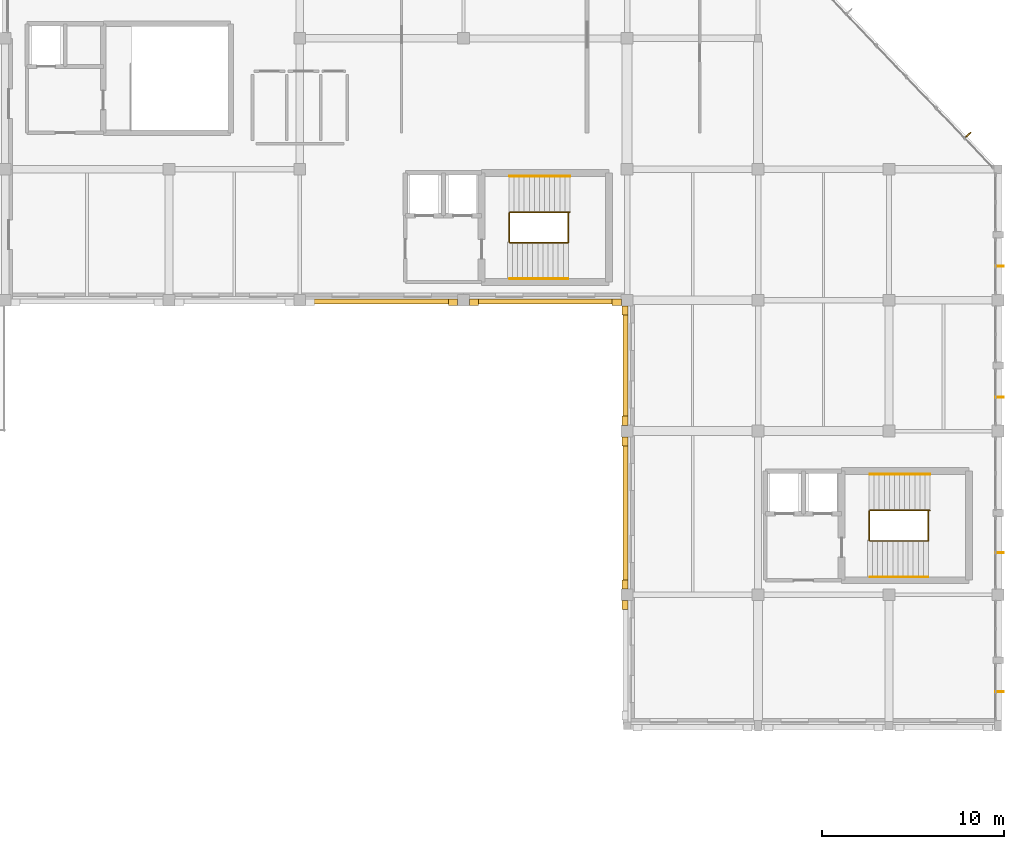
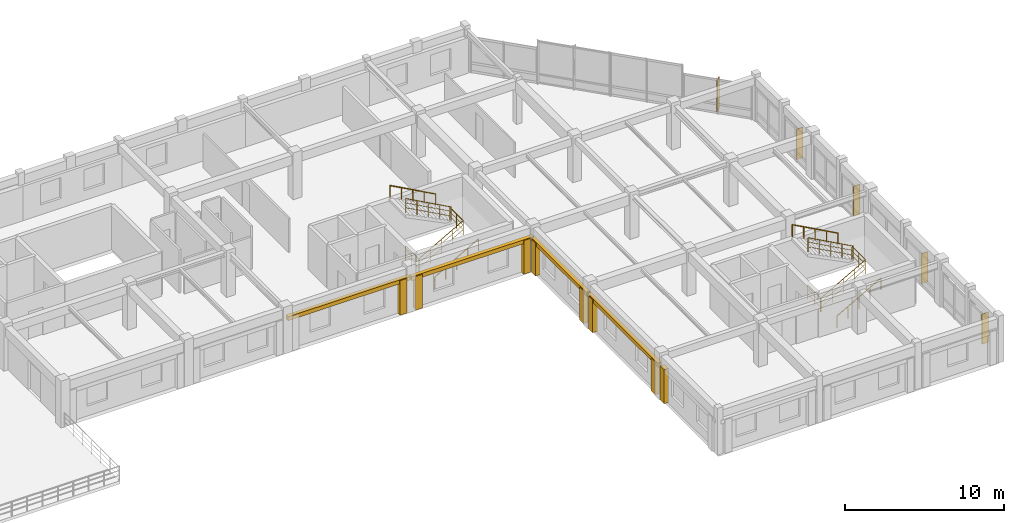
# One storey, part 17 of 18: 12 coverings, 12 railings, 5 shading devices.
"""IFC4 building model written with IfcOpenShell, lengths in metres."""

from ifc_helpers import new_model, si_unit, direction, frame, frame_2d, origin, origin_2d, place, context, subcontext, project, spatial, rectangle, circle, extrude, material, layer, layer_set, type_object, element, save


model = new_model("IFC4")

# Units and contexts
model_context = context("Model", 3, precision=1e-05, world=origin(), true_north=direction((0.0, 1.0)))
body_context = subcontext(model_context, "Body", "Model", "MODEL_VIEW")
ifc_project = project(units=[si_unit("LENGTHUNIT", "METRE"), si_unit("AREAUNIT", "SQUARE_METRE"), si_unit("VOLUMEUNIT", "CUBIC_METRE"), si_unit("PLANEANGLEUNIT", "RADIAN"), si_unit("MASSUNIT", "GRAM", prefix="KILO")], contexts=[model_context])

# Site, building, storey
site_placement = place(None, origin())
site = spatial("IfcSite", under=ifc_project, at=site_placement, CompositionType="ELEMENT")
building_placement = place(site_placement, origin())
building = spatial("IfcBuilding", under=site, at=building_placement, Name="Clarverna Civic Hall", CompositionType="ELEMENT")
storey_placement = place(building_placement, frame((0.0, 0.0, 20.39990234375)))
storey = spatial("IfcBuildingStorey", under=building, at=storey_placement, Name="L05", CompositionType="ELEMENT", Elevation=20.39990234375)

# Coverings
ifc_material_1 = material(Name="Montjuic Buff Limestone Ashlar Cladding", Category="masonry")
ifc_layer_1 = layer(ifc_material_1, 0.070068359375)
ifc_layer_set_1 = layer_set([ifc_layer_1], Name="Montjuic Buff Limestone Ashlar Cladding")
covering_type = type_object("IfcCoveringType", Name="CV-CL2", PredefinedType="CLADDING", material=ifc_layer_set_1)
covering_1_placement = place(storey_placement, frame((147.489990234375, 77.97998046875, 0.0), z_axis=(0.0, 0.0, 1.0), x_axis=(0.0, 1.0, 0.0)))
element("IfcCovering", 1, at=covering_1_placement, inside=storey, type_object=covering_type, Name="CV-CL2-880", PredefinedType="CLADDING", context=body_context, shape_type="SweptSolid", body=[
    extrude(rectangle(XDim=0.5, YDim=0.340087890625, at=frame_2d((0.25, 0.0))), origin(), (0.0, 0.0, 1.0), 2.6201171875),
])
covering_2_placement = place(storey_placement, frame((147.52001953125, 78.860107421875, 2.260009765625), z_axis=(0.0, 0.0, 1.0), x_axis=(0.0, 1.0, 0.0)))
element("IfcCovering", 2, at=covering_2_placement, inside=storey, type_object=covering_type, Name="CV-CL2-881", PredefinedType="CLADDING", context=body_context, shape_type="SweptSolid", body=[
    extrude(rectangle(XDim=8.8798828125, YDim=0.280029296875, at=frame_2d((4.43994140625, 0.0))), origin(), (0.0, 0.0, 1.0), 0.300048828125),
])
for number, where, z_axis, x_axis, name in (
    (3, (147.489990234375, 79.1201171875, 0.0), (0.0, 0.0, 1.0), (0.0, 1.0, 0.0), "CV-CL2-882"),
    (4, (147.489990234375, 86.97998046875, 0.0), (0.0, 0.0, 1.0), (0.0, 1.0, 0.0), "CV-CL2-883"),
):
    element("IfcCovering", number, at=place(storey_placement, frame(where, z_axis=z_axis, x_axis=x_axis)), inside=storey, type_object=covering_type, Name=name, PredefinedType="CLADDING", context=body_context, shape_type="SweptSolid", body=[
        extrude(rectangle(XDim=0.5, YDim=0.340087890625, at=frame_2d((0.25, 0.0))), origin(), (0.0, 0.0, 1.0), 2.5400390625),
    ])
covering_3_placement = place(storey_placement, frame((147.52001953125, 87.860107421875, 2.260009765625), z_axis=(0.0, 0.0, 1.0), x_axis=(0.0, 1.0, 0.0)))
element("IfcCovering", 5, at=covering_3_placement, inside=storey, type_object=covering_type, Name="CV-CL2-884", PredefinedType="CLADDING", context=body_context, shape_type="SweptSolid", body=[
    extrude(rectangle(XDim=7.079833984375, YDim=0.280029296875, at=frame_2d((3.5400390625, 0.0))), origin(), (0.0, 0.0, 1.0), 0.300048828125),
])
for number, where, z_axis, x_axis, name in (
    (6, (147.489990234375, 88.1201171875, 0.0), (0.0, 0.0, 1.0), (0.0, 1.0, 0.0), "CV-CL2-885"),
    (7, (147.489990234375, 94.179931640625, 0.0), (0.0, 0.0, 1.0), (0.0, 1.0, 0.0), "CV-CL2-886"),
):
    element("IfcCovering", number, at=place(storey_placement, frame(where, z_axis=z_axis, x_axis=x_axis)), inside=storey, type_object=covering_type, Name=name, PredefinedType="CLADDING", context=body_context, shape_type="SweptSolid", body=[
        extrude(rectangle(XDim=0.5, YDim=0.340087890625, at=frame_2d((0.25, 0.0))), origin(), (0.0, 0.0, 1.0), 2.5400390625),
    ])
covering_4_placement = place(storey_placement, frame((147.5400390625, 94.919921875, 2.31005859375), z_axis=(0.0, 0.0, 1.0), x_axis=(-1.0, 0.0, 0.0)))
element("IfcCovering", 8, at=covering_4_placement, inside=storey, type_object=covering_type, Name="CV-CL2-887", PredefinedType="CLADDING", context=body_context, shape_type="SweptSolid", body=[
    extrude(rectangle(XDim=8.880126953125, YDim=0.280029296875, at=frame_2d((4.43994140625, 0.0))), origin(), (0.0, 0.0, 1.0), 0.300048828125),
])
for number, where, z_axis, x_axis, name in (
    (9, (147.280029296875, 94.889892578125, 0.0), (0.0, 0.0, 1.0), (-1.0, 0.0, 0.0), "CV-CL2-888"),
    (10, (139.419921875, 94.889892578125, 0.0), (0.0, 0.0, 1.0), (-1.0, 0.0, 0.0), "CV-CL2-889"),
):
    element("IfcCovering", number, at=place(storey_placement, frame(where, z_axis=z_axis, x_axis=x_axis)), inside=storey, type_object=covering_type, Name=name, PredefinedType="CLADDING", context=body_context, shape_type="SweptSolid", body=[
        extrude(rectangle(XDim=0.5, YDim=0.340087890625, at=frame_2d((0.25, 0.0))), origin(), (0.0, 0.0, 1.0), 2.590087890625),
    ])
covering_5_placement = place(storey_placement, frame((138.5400390625, 94.919921875, 2.380126953125), z_axis=(0.0, 0.0, 1.0), x_axis=(-1.0, 0.0, 0.0)))
element("IfcCovering", 11, at=covering_5_placement, inside=storey, type_object=covering_type, Name="CV-CL2-890", PredefinedType="CLADDING", context=body_context, shape_type="SweptSolid", body=[
    extrude(rectangle(XDim=8.880126953125, YDim=0.280029296875, at=frame_2d((4.43994140625, 0.0))), origin(), (0.0, 0.0, 1.0), 0.300048828125),
])
covering_6_placement = place(storey_placement, frame((138.280029296875, 94.889892578125, 0.0), z_axis=(0.0, 0.0, 1.0), x_axis=(-1.0, 0.0, 0.0)))
element("IfcCovering", 12, at=covering_6_placement, inside=storey, type_object=covering_type, Name="CV-CL2-891", PredefinedType="CLADDING", context=body_context, shape_type="SweptSolid", body=[
    extrude(rectangle(XDim=0.5, YDim=0.340087890625, at=frame_2d((0.25, 0.0))), origin(), (0.0, 0.0, 1.0), 2.66015625),
])

# Railings
ifc_material_2 = material(Name="Anodised Bronze Architectural Balustrade")
railing_type_1 = type_object("IfcRailingType", Name="GR-02", PredefinedType="BALUSTRADE", material=ifc_material_2)
railing_1_placement = place(storey_placement, frame((141.14990234375, 98.159912109375, 0.0)))
element("IfcRailing", 13, at=railing_1_placement, inside=storey, type_object=railing_type_1, Name="GR-02-027", PredefinedType="BALUSTRADE", context=body_context, shape_type="SweptSolid", body=[
    extrude(circle(Radius=0.02392578125, at=origin_2d()), frame((0.0, 0.0, 1.09619140625), z_axis=(0.871901705862, 0.0, 0.489680932154), x_axis=(0.0, 1.0, 0.0)), (0.0, 0.0, 1.0), 3.676025390625),
    extrude(circle(Radius=0.011962890625, at=origin_2d()), frame((0.0, 0.0, 0.39208984375), z_axis=(0.871901705862, 0.0, 0.489680932154), x_axis=(0.0, 1.0, 0.0)), (0.0, 0.0, 1.0), 3.676025390625),
    extrude(circle(Radius=0.011962890625, at=origin_2d()), frame((0.0, 0.0, 0.76171875), z_axis=(0.871901705862, 0.0, 0.489680932154), x_axis=(0.0, 1.0, 0.0)), (0.0, 0.0, 1.0), 3.676025390625),
    extrude(circle(Radius=0.02099609375, at=origin_2d()), origin(), (0.0, 0.0, 1.0), 1.072021484375),
    extrude(circle(Radius=0.02099609375, at=origin_2d()), frame((0.80126953125, 0.0, 0.449951171875)), (0.0, 0.0, 1.0), 1.072021484375),
    extrude(circle(Radius=0.02099609375, at=origin_2d()), frame((1.6025390625, 0.0, 0.89990234375)), (0.0, 0.0, 1.0), 1.072021484375),
    extrude(circle(Radius=0.02099609375, at=origin_2d()), frame((2.40380859375, 0.0, 1.35009765625)), (0.0, 0.0, 1.0), 1.072021484375),
    extrude(circle(Radius=0.02099609375, at=origin_2d()), frame((3.205078125, 0.0, 1.800048828125)), (0.0, 0.0, 1.0), 1.072021484375),
])
railing_2_placement = place(storey_placement, frame((144.35498046875, 98.159912109375, 1.800048828125)))
element("IfcRailing", 14, at=railing_2_placement, inside=storey, type_object=railing_type_1, Name="GR-02-028", PredefinedType="BALUSTRADE", context=body_context, shape_type="SweptSolid", body=[
    extrude(circle(Radius=0.02392578125, at=origin_2d()), frame((0.0, 0.0, 1.09619140625), z_axis=(0.0, 1.0, 0.0), x_axis=(-1.0, 0.0, 0.0)), (0.0, 0.0, 1.0), 1.68017578125),
    extrude(circle(Radius=0.011962890625, at=origin_2d()), frame((0.0, 0.0, 0.39208984375), z_axis=(0.0, 1.0, 0.0), x_axis=(-1.0, 0.0, 0.0)), (0.0, 0.0, 1.0), 1.68017578125),
    extrude(circle(Radius=0.011962890625, at=origin_2d()), frame((0.0, 0.0, 0.76171875), z_axis=(0.0, 1.0, 0.0), x_axis=(-1.0, 0.0, 0.0)), (0.0, 0.0, 1.0), 1.68017578125),
    extrude(circle(Radius=0.02099609375, at=origin_2d()), origin(), (0.0, 0.0, 1.0), 1.072021484375),
    extrude(circle(Radius=0.02099609375, at=origin_2d()), frame((0.0, 0.840087890625, 0.0)), (0.0, 0.0, 1.0), 1.072021484375),
    extrude(circle(Radius=0.02099609375, at=origin_2d()), frame((0.0, 1.68017578125, 0.0)), (0.0, 0.0, 1.0), 1.072021484375),
])
railing_3_placement = place(storey_placement, frame((144.445068359375, 99.840087890625, 1.800048828125)))
element("IfcRailing", 15, at=railing_3_placement, inside=storey, type_object=railing_type_1, Name="GR-02-029", PredefinedType="BALUSTRADE", context=body_context, shape_type="SweptSolid", body=[
    extrude(circle(Radius=0.02392578125, at=origin_2d()), frame((0.0, 0.0, 1.09619140625), z_axis=(-0.877594727342, 0.0, 0.479403269222), x_axis=(0.0, -1.0, 0.0)), (0.0, 0.0, 1.0), 3.7548828125),
    extrude(circle(Radius=0.011962890625, at=origin_2d()), frame((0.0, 0.0, 0.39208984375), z_axis=(-0.877594727342, 0.0, 0.479403269222), x_axis=(0.0, -1.0, 0.0)), (0.0, 0.0, 1.0), 3.7548828125),
    extrude(circle(Radius=0.011962890625, at=origin_2d()), frame((0.0, 0.0, 0.76171875), z_axis=(-0.877594727342, 0.0, 0.479403269222), x_axis=(0.0, -1.0, 0.0)), (0.0, 0.0, 1.0), 3.7548828125),
    extrude(circle(Radius=0.02099609375, at=origin_2d()), origin(), (0.0, 0.0, 1.0), 1.072021484375),
    extrude(circle(Radius=0.02099609375, at=origin_2d()), frame((-0.82373046875, 0.0, 0.449951171875)), (0.0, 0.0, 1.0), 1.072021484375),
    extrude(circle(Radius=0.02099609375, at=origin_2d()), frame((-1.6474609375, 0.0, 0.89990234375)), (0.0, 0.0, 1.0), 1.072021484375),
    extrude(circle(Radius=0.02099609375, at=origin_2d()), frame((-2.471435546875, 0.0, 1.35009765625)), (0.0, 0.0, 1.0), 1.072021484375),
    extrude(circle(Radius=0.02099609375, at=origin_2d()), frame((-3.295166015625, 0.0, 1.800048828125)), (0.0, 0.0, 1.0), 1.072021484375),
])
railing_4_placement = place(storey_placement, frame((141.110107421875, 98.199951171875, 0.0)))
element("IfcRailing", 16, at=railing_4_placement, inside=storey, type_object=railing_type_1, Name="GR-02-030", PredefinedType="BALUSTRADE", context=body_context, shape_type="SweptSolid", body=[
    extrude(circle(Radius=0.02392578125, at=origin_2d()), frame((0.0, 0.0, 1.09619140625), z_axis=(0.0, 1.0, 0.0), x_axis=(-1.0, 0.0, 0.0)), (0.0, 0.0, 1.0), 1.60009765625),
    extrude(circle(Radius=0.011962890625, at=origin_2d()), frame((0.0, 0.0, 0.39208984375), z_axis=(0.0, 1.0, 0.0), x_axis=(-1.0, 0.0, 0.0)), (0.0, 0.0, 1.0), 1.60009765625),
    extrude(circle(Radius=0.011962890625, at=origin_2d()), frame((0.0, 0.0, 0.76171875), z_axis=(0.0, 1.0, 0.0), x_axis=(-1.0, 0.0, 0.0)), (0.0, 0.0, 1.0), 1.60009765625),
    extrude(circle(Radius=0.02099609375, at=origin_2d()), origin(), (0.0, 0.0, 1.0), 1.072021484375),
    extrude(circle(Radius=0.02099609375, at=origin_2d()), frame((0.0, 0.800048828125, 0.0)), (0.0, 0.0, 1.0), 1.072021484375),
    extrude(circle(Radius=0.02099609375, at=origin_2d()), frame((0.0, 1.60009765625, 0.0)), (0.0, 0.0, 1.0), 1.072021484375),
])
railing_5_placement = place(storey_placement, frame((160.949951171875, 81.760009765625, 0.0)))
element("IfcRailing", 17, at=railing_5_placement, inside=storey, type_object=railing_type_1, Name="GR-02-059", PredefinedType="BALUSTRADE", context=body_context, shape_type="SweptSolid", body=[
    extrude(circle(Radius=0.02392578125, at=origin_2d()), frame((0.0, 0.0, 1.09619140625), z_axis=(0.871901705862, 0.0, 0.489680932154), x_axis=(0.0, 1.0, 0.0)), (0.0, 0.0, 1.0), 3.676025390625),
    extrude(circle(Radius=0.011962890625, at=origin_2d()), frame((0.0, 0.0, 0.39208984375), z_axis=(0.871901705862, 0.0, 0.489680932154), x_axis=(0.0, 1.0, 0.0)), (0.0, 0.0, 1.0), 3.676025390625),
    extrude(circle(Radius=0.011962890625, at=origin_2d()), frame((0.0, 0.0, 0.76171875), z_axis=(0.871901705862, 0.0, 0.489680932154), x_axis=(0.0, 1.0, 0.0)), (0.0, 0.0, 1.0), 3.676025390625),
    extrude(circle(Radius=0.02099609375, at=origin_2d()), origin(), (0.0, 0.0, 1.0), 1.072021484375),
    extrude(circle(Radius=0.02099609375, at=origin_2d()), frame((0.80126953125, 0.0, 0.449951171875)), (0.0, 0.0, 1.0), 1.072021484375),
    extrude(circle(Radius=0.02099609375, at=origin_2d()), frame((1.6025390625, 0.0, 0.89990234375)), (0.0, 0.0, 1.0), 1.072021484375),
    extrude(circle(Radius=0.02099609375, at=origin_2d()), frame((2.40380859375, 0.0, 1.35009765625)), (0.0, 0.0, 1.0), 1.072021484375),
    extrude(circle(Radius=0.02099609375, at=origin_2d()), frame((3.205078125, 0.0, 1.800048828125)), (0.0, 0.0, 1.0), 1.072021484375),
])
railing_6_placement = place(storey_placement, frame((164.155029296875, 81.760009765625, 1.800048828125)))
element("IfcRailing", 18, at=railing_6_placement, inside=storey, type_object=railing_type_1, Name="GR-02-060", PredefinedType="BALUSTRADE", context=body_context, shape_type="SweptSolid", body=[
    extrude(circle(Radius=0.02392578125, at=origin_2d()), frame((0.0, 0.0, 1.09619140625), z_axis=(0.0, 1.0, 0.0), x_axis=(-1.0, 0.0, 0.0)), (0.0, 0.0, 1.0), 1.679931640625),
    extrude(circle(Radius=0.011962890625, at=origin_2d()), frame((0.0, 0.0, 0.39208984375), z_axis=(0.0, 1.0, 0.0), x_axis=(-1.0, 0.0, 0.0)), (0.0, 0.0, 1.0), 1.679931640625),
    extrude(circle(Radius=0.011962890625, at=origin_2d()), frame((0.0, 0.0, 0.76171875), z_axis=(0.0, 1.0, 0.0), x_axis=(-1.0, 0.0, 0.0)), (0.0, 0.0, 1.0), 1.679931640625),
    extrude(circle(Radius=0.02099609375, at=origin_2d()), origin(), (0.0, 0.0, 1.0), 1.072021484375),
    extrude(circle(Radius=0.02099609375, at=origin_2d()), frame((0.0, 0.83984375, 0.0)), (0.0, 0.0, 1.0), 1.072021484375),
    extrude(circle(Radius=0.02099609375, at=origin_2d()), frame((0.0, 1.679931640625, 0.0)), (0.0, 0.0, 1.0), 1.072021484375),
])
railing_7_placement = place(storey_placement, frame((164.2451171875, 83.43994140625, 1.800048828125)))
element("IfcRailing", 19, at=railing_7_placement, inside=storey, type_object=railing_type_1, Name="GR-02-061", PredefinedType="BALUSTRADE", context=body_context, shape_type="SweptSolid", body=[
    extrude(circle(Radius=0.02392578125, at=origin_2d()), frame((0.0, 0.0, 1.09619140625), z_axis=(-0.877594727342, 0.0, 0.479403269222), x_axis=(0.0, -1.0, 0.0)), (0.0, 0.0, 1.0), 3.7548828125),
    extrude(circle(Radius=0.011962890625, at=origin_2d()), frame((0.0, 0.0, 0.39208984375), z_axis=(-0.877594727342, 0.0, 0.479403269222), x_axis=(0.0, -1.0, 0.0)), (0.0, 0.0, 1.0), 3.7548828125),
    extrude(circle(Radius=0.011962890625, at=origin_2d()), frame((0.0, 0.0, 0.76171875), z_axis=(-0.877594727342, 0.0, 0.479403269222), x_axis=(0.0, -1.0, 0.0)), (0.0, 0.0, 1.0), 3.7548828125),
    extrude(circle(Radius=0.02099609375, at=origin_2d()), origin(), (0.0, 0.0, 1.0), 1.072021484375),
    extrude(circle(Radius=0.02099609375, at=origin_2d()), frame((-0.82373046875, 0.0, 0.449951171875)), (0.0, 0.0, 1.0), 1.072021484375),
    extrude(circle(Radius=0.02099609375, at=origin_2d()), frame((-1.6474609375, 0.0, 0.89990234375)), (0.0, 0.0, 1.0), 1.072021484375),
    extrude(circle(Radius=0.02099609375, at=origin_2d()), frame((-2.471435546875, 0.0, 1.35009765625)), (0.0, 0.0, 1.0), 1.072021484375),
    extrude(circle(Radius=0.02099609375, at=origin_2d()), frame((-3.295166015625, 0.0, 1.800048828125)), (0.0, 0.0, 1.0), 1.072021484375),
])
railing_8_placement = place(storey_placement, frame((160.909912109375, 81.800048828125, 0.0)))
element("IfcRailing", 20, at=railing_8_placement, inside=storey, type_object=railing_type_1, Name="GR-02-062", PredefinedType="BALUSTRADE", context=body_context, shape_type="SweptSolid", body=[
    extrude(circle(Radius=0.02392578125, at=origin_2d()), frame((0.0, 0.0, 1.09619140625), z_axis=(0.0, 1.0, 0.0), x_axis=(-1.0, 0.0, 0.0)), (0.0, 0.0, 1.0), 1.599853515625),
    extrude(circle(Radius=0.011962890625, at=origin_2d()), frame((0.0, 0.0, 0.39208984375), z_axis=(0.0, 1.0, 0.0), x_axis=(-1.0, 0.0, 0.0)), (0.0, 0.0, 1.0), 1.599853515625),
    extrude(circle(Radius=0.011962890625, at=origin_2d()), frame((0.0, 0.0, 0.76171875), z_axis=(0.0, 1.0, 0.0), x_axis=(-1.0, 0.0, 0.0)), (0.0, 0.0, 1.0), 1.599853515625),
    extrude(circle(Radius=0.02099609375, at=origin_2d()), origin(), (0.0, 0.0, 1.0), 1.072021484375),
    extrude(circle(Radius=0.02099609375, at=origin_2d()), frame((0.0, 0.7998046875, 0.0)), (0.0, 0.0, 1.0), 1.072021484375),
    extrude(circle(Radius=0.02099609375, at=origin_2d()), frame((0.0, 1.599853515625, 0.0)), (0.0, 0.0, 1.0), 1.072021484375),
])
ifc_material_3 = material(Name="Anodised Bronze Continuous Handrail")
railing_type_2 = type_object("IfcRailingType", Name="HR-01", PredefinedType="HANDRAIL", material=ifc_material_3)
railing_9_placement = place(storey_placement, frame((141.14990234375, 96.179931640625, 0.0)))
element("IfcRailing", 21, at=railing_9_placement, inside=storey, type_object=railing_type_2, Name="HR-01-013", PredefinedType="HANDRAIL", context=body_context, shape_type="SweptSolid", body=[
    extrude(circle(Radius=0.02392578125, at=origin_2d()), frame((0.0, 0.0, 0.89599609375), z_axis=(0.870925075533, 0.0, 0.491415824742), x_axis=(0.0, 1.0, 0.0)), (0.0, 0.0, 1.0), 3.6630859375),
    extrude(circle(Radius=0.02099609375, at=origin_2d()), origin(), (0.0, 0.0, 1.0), 0.871826171875),
    extrude(circle(Radius=0.02099609375, at=origin_2d()), frame((0.797607421875, 0.0, 0.449951171875)), (0.0, 0.0, 1.0), 0.871826171875),
    extrude(circle(Radius=0.02099609375, at=origin_2d()), frame((1.59521484375, 0.0, 0.89990234375)), (0.0, 0.0, 1.0), 0.871826171875),
    extrude(circle(Radius=0.02099609375, at=origin_2d()), frame((2.392578125, 0.0, 1.35009765625)), (0.0, 0.0, 1.0), 0.871826171875),
    extrude(circle(Radius=0.02099609375, at=origin_2d()), frame((3.190185546875, 0.0, 1.800048828125)), (0.0, 0.0, 1.0), 0.871826171875),
])
railing_10_placement = place(storey_placement, frame((144.4599609375, 101.820068359375, 1.800048828125)))
element("IfcRailing", 22, at=railing_10_placement, inside=storey, type_object=railing_type_2, Name="HR-01-014", PredefinedType="HANDRAIL", context=body_context, shape_type="SweptSolid", body=[
    extrude(circle(Radius=0.02392578125, at=origin_2d()), frame((0.0, 0.0, 0.89599609375), z_axis=(-0.878501555178, 0.0, 0.477739487116), x_axis=(0.0, -1.0, 0.0)), (0.0, 0.0, 1.0), 3.767822265625),
    extrude(circle(Radius=0.02099609375, at=origin_2d()), origin(), (0.0, 0.0, 1.0), 0.871826171875),
    extrude(circle(Radius=0.02099609375, at=origin_2d()), frame((-0.82763671875, 0.0, 0.449951171875)), (0.0, 0.0, 1.0), 0.871826171875),
    extrude(circle(Radius=0.02099609375, at=origin_2d()), frame((-1.655029296875, 0.0, 0.89990234375)), (0.0, 0.0, 1.0), 0.871826171875),
    extrude(circle(Radius=0.02099609375, at=origin_2d()), frame((-2.482421875, 0.0, 1.35009765625)), (0.0, 0.0, 1.0), 0.871826171875),
    extrude(circle(Radius=0.02099609375, at=origin_2d()), frame((-3.31005859375, 0.0, 1.800048828125)), (0.0, 0.0, 1.0), 0.871826171875),
])
railing_11_placement = place(storey_placement, frame((160.949951171875, 79.780029296875, 0.0)))
element("IfcRailing", 23, at=railing_11_placement, inside=storey, type_object=railing_type_2, Name="HR-01-029", PredefinedType="HANDRAIL", context=body_context, shape_type="SweptSolid", body=[
    extrude(circle(Radius=0.02392578125, at=origin_2d()), frame((0.0, 0.0, 0.89599609375), z_axis=(0.87090897868, 0.0, 0.491444351738), x_axis=(0.0, 1.0, 0.0)), (0.0, 0.0, 1.0), 3.662841796875),
    extrude(circle(Radius=0.02099609375, at=origin_2d()), origin(), (0.0, 0.0, 1.0), 0.871826171875),
    extrude(circle(Radius=0.02099609375, at=origin_2d()), frame((0.79736328125, 0.0, 0.449951171875)), (0.0, 0.0, 1.0), 0.871826171875),
    extrude(circle(Radius=0.02099609375, at=origin_2d()), frame((1.594970703125, 0.0, 0.89990234375)), (0.0, 0.0, 1.0), 0.871826171875),
    extrude(circle(Radius=0.02099609375, at=origin_2d()), frame((2.392578125, 0.0, 1.35009765625)), (0.0, 0.0, 1.0), 0.871826171875),
    extrude(circle(Radius=0.02099609375, at=origin_2d()), frame((3.18994140625, 0.0, 1.800048828125)), (0.0, 0.0, 1.0), 0.871826171875),
])
railing_12_placement = place(storey_placement, frame((164.260009765625, 85.419921875, 1.800048828125)))
element("IfcRailing", 24, at=railing_12_placement, inside=storey, type_object=railing_type_2, Name="HR-01-030", PredefinedType="HANDRAIL", context=body_context, shape_type="SweptSolid", body=[
    extrude(circle(Radius=0.02392578125, at=origin_2d()), frame((0.0, 0.0, 0.89599609375), z_axis=(-0.878501555178, 0.0, 0.477739487116), x_axis=(0.0, -1.0, 0.0)), (0.0, 0.0, 1.0), 3.767822265625),
    extrude(circle(Radius=0.02099609375, at=origin_2d()), origin(), (0.0, 0.0, 1.0), 0.871826171875),
    extrude(circle(Radius=0.02099609375, at=origin_2d()), frame((-0.82763671875, 0.0, 0.449951171875)), (0.0, 0.0, 1.0), 0.871826171875),
    extrude(circle(Radius=0.02099609375, at=origin_2d()), frame((-1.655029296875, 0.0, 0.89990234375)), (0.0, 0.0, 1.0), 0.871826171875),
    extrude(circle(Radius=0.02099609375, at=origin_2d()), frame((-2.482421875, 0.0, 1.35009765625)), (0.0, 0.0, 1.0), 0.871826171875),
    extrude(circle(Radius=0.02099609375, at=origin_2d()), frame((-3.31005859375, 0.0, 1.800048828125)), (0.0, 0.0, 1.0), 0.871826171875),
])

# Shading devices
ifc_material_4 = material(Name="Anodised Bronze Architectural Solar Fin", Category="aluminium")
ifc_layer_2 = layer(ifc_material_4, 0.054931640625)
ifc_layer_set_2 = layer_set([ifc_layer_2], Name="Anodised Bronze Architectural Solar Fin")
shading_device_type = type_object("IfcShadingDeviceType", Name="SD-FN1", PredefinedType="USERDEFINED", material=ifc_layer_set_2)
shading_device_1_placement = place(storey_placement, frame((166.145263671875, 103.89306640625, 0.150146484375), z_axis=(0.0, 0.0, 1.0), x_axis=(0.72269708108, 0.691164907239, 0.0)))
element("IfcShadingDevice", 25, at=shading_device_1_placement, inside=storey, type_object=shading_device_type, Name="SD-FN1-069", ObjectType="FIN", PredefinedType="USERDEFINED", context=body_context, shape_type="SweptSolid", body=[
    extrude(rectangle(XDim=0.47998046875, YDim=0.054931640625, at=frame_2d((0.239990234375, 0.0))), origin(), (0.0, 0.0, 1.0), 2.419921875),
])
shading_device_2_placement = place(storey_placement, frame((167.830078125, 96.867431640625, 0.150146484375), z_axis=(0.0, 0.0, 1.0), x_axis=(1.0, 0.0, 0.0)))
element("IfcShadingDevice", 26, at=shading_device_2_placement, inside=storey, type_object=shading_device_type, Name="SD-FN1-070", ObjectType="FIN", PredefinedType="USERDEFINED", context=body_context, shape_type="SweptSolid", body=[
    extrude(rectangle(XDim=0.47998046875, YDim=0.054931640625, at=frame_2d((0.239990234375, 0.0))), origin(), (0.0, 0.0, 1.0), 2.33984375),
])
for number, where, z_axis, x_axis, name in (
    (27, (167.830078125, 89.66748046875, 0.150146484375), (0.0, 0.0, 1.0), (1.0, 0.0, 0.0), "SD-FN1-071"),
    (28, (167.830078125, 81.117431640625, 0.150146484375), (0.0, 0.0, 1.0), (1.0, 0.0, 0.0), "SD-FN1-072"),
    (29, (167.830078125, 73.455078125, 0.150146484375), (0.0, 0.0, 1.0), (1.0, 0.0, 0.0), "SD-FN1-073"),
):
    element("IfcShadingDevice", number, at=place(storey_placement, frame(where, z_axis=z_axis, x_axis=x_axis)), inside=storey, type_object=shading_device_type, Name=name, ObjectType="FIN", PredefinedType="USERDEFINED", context=body_context, shape_type="SweptSolid", body=[
        extrude(rectangle(XDim=0.47998046875, YDim=0.054931640625, at=frame_2d((0.239990234375, 0.0))), origin(), (0.0, 0.0, 1.0), 2.320068359375),
    ])

save(model, "model.ifc")
